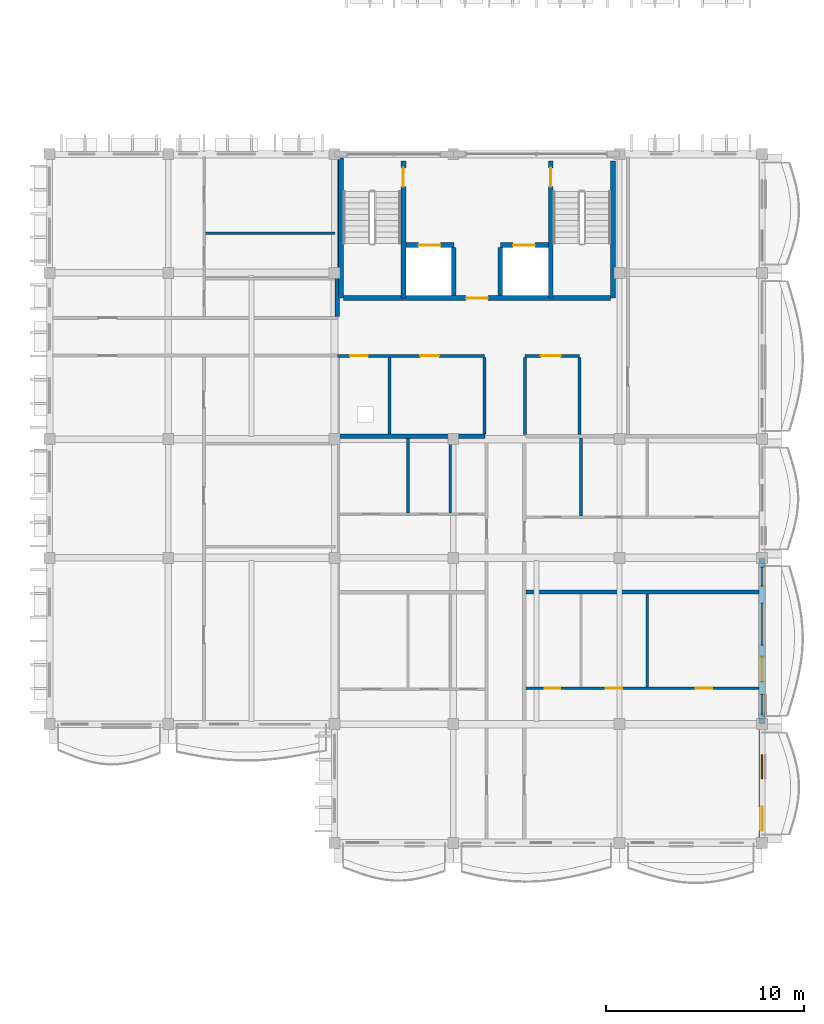
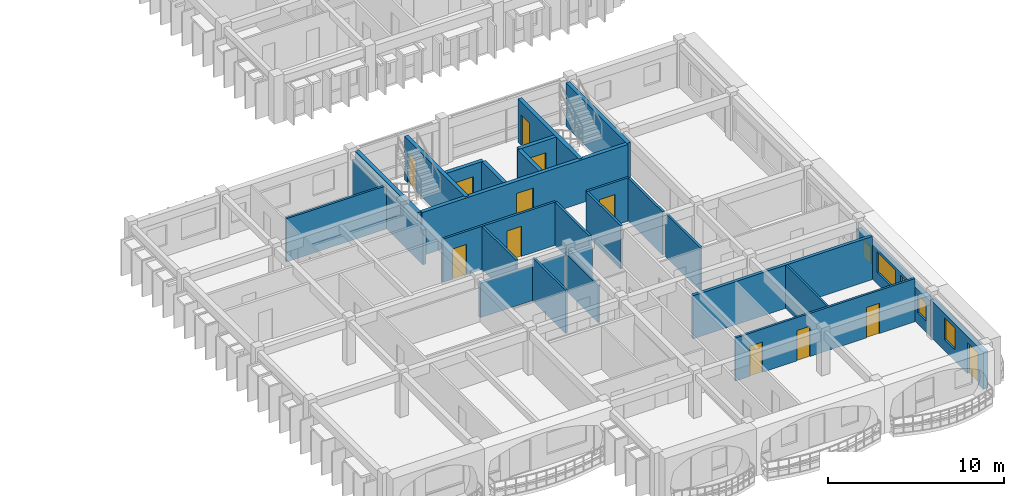
# One storey, part 33 of 70: 26 walls, 13 doors, 4 windows, 17 openings.
"""IFC4 building model written with IfcOpenShell, lengths in metres."""

import ifcopenshell
import ifcopenshell.guid

model = None  # the IFC model being written
_history = None  # IfcOwnerHistory: only IFC2X3 demands one
_inside = {}  # id of a spatial element -> (the spatial element, [elements in it])
_under = {}  # id of a project, library or spatial element -> (it, [spatial elements below it])
_declared = {}  # id of a project -> (the project, [libraries it declares])
_typed = {}  # id of a type object -> (the type object, [elements of that type])
_made_of = {}  # id of a material, layer set ... -> (it, [elements and type objects made of it])


def new_model(schema):
    """Start an empty IFC model of exactly this schema.

    Asked for "IFC4X3", IfcOpenShell would pick the latest addendum, in which some entities
    have other attributes; the version numbers below select the first issue.
    IFC2X3 requires an IfcOwnerHistory on every rooted entity: one is made here for all.
    """
    global model, _history
    if schema == "IFC4X3":
        model = ifcopenshell.file(schema_version=(4, 3, 0, 0))
    else:
        model = ifcopenshell.file(schema=schema)
    _inside.clear()
    _under.clear()
    _declared.clear()
    _typed.clear()
    _made_of.clear()
    _history = None
    if model.schema == "IFC2X3":
        org = make("IfcOrganization", Name="unknown")
        user = make(
            "IfcPersonAndOrganization",
            ThePerson=make("IfcPerson", FamilyName="unknown"),
            TheOrganization=org,
        )
        app = make(
            "IfcApplication",
            ApplicationDeveloper=org,
            Version="unknown",
            ApplicationFullName="unknown",
            ApplicationIdentifier="unknown",
        )
        _history = make(
            "IfcOwnerHistory",
            OwningUser=user,
            OwningApplication=app,
            ChangeAction="ADDED",
            CreationDate=0,
        )
    return model


def make(cls, **values):
    """One entity of the class cls with the attributes given. An attribute that is None is left unset."""
    return model.create_entity(
        cls, **{name: value for name, value in values.items() if value is not None}
    )


def rooted(cls, **values):
    """An entity with a GlobalId (a new one), such as an element, a storey or a relation."""
    return make(cls, GlobalId=ifcopenshell.guid.new(), OwnerHistory=_history, **values)


def si_unit(unit_type, name, prefix=None):
    """IfcSIUnit, for example si_unit("LENGTHUNIT", "METRE", prefix="MILLI")."""
    return make("IfcSIUnit", UnitType=unit_type, Prefix=prefix, Name=name)


def assignment(units):
    """IfcUnitAssignment: the units of a project."""
    return None if units is None else make("IfcUnitAssignment", Units=units)


def point(xyz):
    """IfcCartesianPoint."""
    return None if xyz is None else make("IfcCartesianPoint", Coordinates=xyz)


def direction(xyz):
    """IfcDirection."""
    return None if xyz is None else make("IfcDirection", DirectionRatios=xyz)


def frame(location, z_axis=None, x_axis=None):
    """IfcAxis2Placement3D, a coordinate frame: its origin and axes. An axis left out is left unset."""
    return make(
        "IfcAxis2Placement3D",
        Location=point(location),
        Axis=direction(z_axis),
        RefDirection=direction(x_axis),
    )


def frame_2d(location, x_axis=None):
    """IfcAxis2Placement2D, a coordinate frame in the plane: its origin and x axis."""
    return make(
        "IfcAxis2Placement2D", Location=point(location), RefDirection=direction(x_axis)
    )


def origin():
    """The frame at (0, 0, 0) with its axes left unset."""
    return frame((0.0, 0.0, 0.0))


def place(relative_to, where):
    """IfcLocalPlacement: puts the frame where relative to a parent placement (None: the world)."""
    return make(
        "IfcLocalPlacement", PlacementRelTo=relative_to, RelativePlacement=where
    )


def context(
    kind, dimensions, precision=None, world=None, true_north=None, identifier=None
):
    """IfcGeometricRepresentationContext, for example the 3D "Model" context."""
    return make(
        "IfcGeometricRepresentationContext",
        ContextIdentifier=identifier,
        ContextType=kind,
        CoordinateSpaceDimension=dimensions,
        Precision=precision,
        WorldCoordinateSystem=world,
        TrueNorth=true_north,
    )


def subcontext(parent, identifier, kind, view, scale=None):
    """IfcGeometricRepresentationSubContext, for example "Body" below "Model"."""
    return make(
        "IfcGeometricRepresentationSubContext",
        ContextIdentifier=identifier,
        ContextType=kind,
        ParentContext=parent,
        TargetScale=scale,
        TargetView=view,
    )


def project(units=None, contexts=None):
    """IfcProject with its units and contexts."""
    return rooted(
        "IfcProject",
        Name="project",
        RepresentationContexts=contexts,
        UnitsInContext=assignment(units),
    )


def spatial(cls, under=None, at=None, **own):
    """A site, building, storey or space (cls), placed at a placement, below another one or the project."""
    s = rooted(cls, ObjectPlacement=at, **own)
    if under is not None:
        _under.setdefault(under.id(), (under, []))[1].append(s)
    return s


def profile(cls, at=None, kind="AREA", **sizes):
    """A parametric profile (cls). Its sizes go by their IFC names, for example OverallWidth=200.0."""
    return make(cls, ProfileType=kind, Position=at, **sizes)


def rectangle(**sizes):
    """IfcRectangleProfileDef."""
    return profile("IfcRectangleProfileDef", **sizes)


def extrude(swept, where, along, depth):
    """IfcExtrudedAreaSolid: the profile swept, set in the frame where, extruded along a direction by depth."""
    return make(
        "IfcExtrudedAreaSolid",
        SweptArea=swept,
        Position=where,
        ExtrudedDirection=direction(along),
        Depth=depth,
    )


def shape(context_of_items, identifier, shape_type, items):
    """IfcShapeRepresentation: the items that make up one representation, for example the "Body"."""
    return make(
        "IfcShapeRepresentation",
        ContextOfItems=context_of_items,
        RepresentationIdentifier=identifier,
        RepresentationType=shape_type,
        Items=items,
    )


def material(Name=None, Category=None):
    """IfcMaterial."""
    return make("IfcMaterial", Name=Name, Category=Category)


def layer(
    of_material, thickness, ventilated=None, Name=None, Category=None, Priority=None
):
    """IfcMaterialLayer: one layer of a wall or slab, of a material (None: an air gap)."""
    return make(
        "IfcMaterialLayer",
        Material=of_material,
        LayerThickness=thickness,
        IsVentilated=ventilated,
        Name=Name,
        Category=Category,
        Priority=Priority,
    )


def layer_set(layers, Name=None):
    """IfcMaterialLayerSet."""
    return make("IfcMaterialLayerSet", MaterialLayers=layers, LayerSetName=Name)


def made_of(thing, what):
    """Note that an element or type object is made of a material, layer set ...; save() writes the relation."""
    if what is not None:
        _made_of.setdefault(what.id(), (what, []))[1].append(thing)
    return thing


def type_object(cls, material=None, **own):
    """A type object (cls), such as IfcWallType, which elements share."""
    return made_of(rooted(cls, **own), material)


def element(
    cls,
    number,
    at=None,
    inside=None,
    cuts=None,
    type_object=None,
    material=None,
    context=None,
    identifier="Body",
    shape_type=None,
    held_by="IfcProductDefinitionShape",
    body=None,
    shapes=None,
    **own,
):
    """One element of the class cls, such as IfcWall. Its Tag is "e" and its number.

    at: its placement. inside: the storey or other place that contains it. cuts: it is an
    opening in that element (IfcRelVoidsElement). A single representation is given by context,
    identifier, shape_type and body (its items); several are given by shapes. held_by: the class
    of the entity that holds the representations. save() writes the other relations.
    """
    e = rooted(cls, Tag="e%d" % number, ObjectPlacement=at, **own)
    if body is not None:
        shapes = [shape(context, identifier, shape_type, body)]
    if shapes is not None:
        e.Representation = make(held_by, Representations=shapes)
    if inside is not None:
        _inside.setdefault(inside.id(), (inside, []))[1].append(e)
    if cuts is not None:
        rooted(
            "IfcRelVoidsElement", RelatingBuildingElement=cuts, RelatedOpeningElement=e
        )
    if type_object is not None:
        _typed.setdefault(type_object.id(), (type_object, []))[1].append(e)
    return made_of(e, material)


def fill(opening, filler):
    """IfcRelFillsElement: the door or window that sits in an opening."""
    return rooted(
        "IfcRelFillsElement",
        RelatingOpeningElement=opening,
        RelatedBuildingElement=filler,
    )


def aggregate(whole, parts):
    """IfcRelAggregates: a whole, such as a stair, and the parts it consists of."""
    return rooted("IfcRelAggregates", RelatingObject=whole, RelatedObjects=parts)


def save(model, path):
    """Write the relations noted so far, then the file.

    IfcRelAggregates (storeys below a building ...), IfcRelContainedInSpatialStructure (elements
    in a storey), IfcRelDefinesByType, IfcRelAssociatesMaterial and IfcRelDeclares: one each for
    every whole, place, type object, material and project.
    """
    for whole, parts in _under.values():
        aggregate(whole, parts)
    for where, things in _inside.values():
        rooted(
            "IfcRelContainedInSpatialStructure",
            RelatedElements=things,
            RelatingStructure=where,
        )
    for kind, things in _typed.values():
        rooted("IfcRelDefinesByType", RelatedObjects=things, RelatingType=kind)
    for what, things in _made_of.values():
        rooted("IfcRelAssociatesMaterial", RelatedObjects=things, RelatingMaterial=what)
    for by, libraries in _declared.values():
        rooted("IfcRelDeclares", RelatingContext=by, RelatedDefinitions=libraries)
    model.write(path)


model = new_model("IFC4")

# Units and contexts
model_context = context("Model", 3, precision=1e-05, world=origin(), true_north=direction((0.0, 1.0)))
body_context = subcontext(model_context, "Body", "Model", "MODEL_VIEW")
ifc_project = project(units=[si_unit("LENGTHUNIT", "METRE"), si_unit("AREAUNIT", "SQUARE_METRE"), si_unit("VOLUMEUNIT", "CUBIC_METRE"), si_unit("PLANEANGLEUNIT", "RADIAN"), si_unit("MASSUNIT", "GRAM", prefix="KILO"), si_unit("THERMODYNAMICTEMPERATUREUNIT", "KELVIN")], contexts=[model_context])

# Site, building, storey
site_placement = place(None, origin())
site = spatial("IfcSite", under=ifc_project, at=site_placement, CompositionType="ELEMENT")
building_placement = place(site_placement, origin())
building = spatial("IfcBuilding", under=site, at=building_placement, Name="Thalorik Housing Commons", CompositionType="ELEMENT")
storey_placement = place(building_placement, frame((0.0, 0.0, 14.699951171875)))
storey = spatial("IfcBuildingStorey", under=building, at=storey_placement, Name="L04", CompositionType="ELEMENT", Elevation=14.699951171875)

# Wall, opening, door
ifc_material_1 = material(Name="Concrete C40/50", Category="concrete")
ifc_layer_1 = layer(ifc_material_1, 0.25, Name="Concrete C40/50", Category="concrete")
ifc_layer_set_1 = layer_set([ifc_layer_1], Name="Concrete C40/50")
wall_type_1 = type_object("IfcWallType", Name="ARC-WAL-CORE-250", PredefinedType="SHEAR", material=ifc_layer_set_1)
wall_1_placement = place(storey_placement, frame((155.875, 71.64990234375, 0.0), z_axis=(0.0, 0.0, 1.0), x_axis=(0.0, -1.0, 0.0)))
wall_1 = element("IfcWall", 1, at=wall_1_placement, inside=storey, type_object=wall_type_1, Name="L04 Core D Stair 1 Shear Wall", PredefinedType="SHEAR", context=body_context, shape_type="SweptSolid", body=[
    extrude(rectangle(XDim=6.9248046875, YDim=0.25, at=frame_2d((3.46240234375, 0.0))), origin(), (0.0, 0.0, 1.0), 3.0),
])
opening_1_placement = place(wall_1_placement, frame((0.35009765625, 0.0, 0.0)))
opening_1 = element("IfcOpeningElement", 2, at=opening_1_placement, cuts=wall_1, Name="Opening ID-0385", PredefinedType="OPENING", context=body_context, shape_type="SweptSolid", body=[
    extrude(rectangle(XDim=0.949951171875, YDim=2.10009765625, at=frame_2d((0.47509765625, 1.050048828125))), frame((0.0, 0.135009765625, 0.0), z_axis=(0.0, -1.0, 0.0), x_axis=(1.0, 0.0, 0.0)), (0.0, 0.0, 1.0), 0.27001953125),
])
ifc_material_2 = material(Name="Steel S355", Category="steel")
door_type_1 = type_object("IfcDoorType", Name="ARC-DR-FD60-950", OperationType="NOTDEFINED", PredefinedType="DOOR", material=ifc_material_2)
door_1_placement = place(opening_1_placement, origin())
door_1 = element("IfcDoor", 3, at=door_1_placement, inside=storey, type_object=door_type_1, Name="L04 Stair ST-D1 Fire Door", OperationType="SINGLE_SWING_RIGHT", OverallHeight=2.10009765625, OverallWidth=0.949951171875, PredefinedType="DOOR", context=body_context, shape_type="SweptSolid", body=[
    extrude(rectangle(XDim=0.949951171875, YDim=2.10009765625, at=frame_2d((0.47509765625, 1.050048828125))), frame((0.0, 0.02490234375, 0.0), z_axis=(0.0, -1.0, 0.0), x_axis=(1.0, 0.0, 0.0)), (0.0, 0.0, 1.0), 0.050048828125),
])
fill(opening_1, door_1)

# Walls
wall_2_placement = place(storey_placement, frame((152.72509765625, 71.800048828125, 0.0), z_axis=(0.0, 0.0, 1.0), x_axis=(0.0, -1.0, 0.0)))
element("IfcWall", 4, at=wall_2_placement, inside=storey, type_object=wall_type_1, Name="L04 Core D Stair 1 Outer Shear Wall", PredefinedType="SHEAR", context=body_context, shape_type="SweptSolid", body=[
    extrude(rectangle(XDim=7.074951171875, YDim=0.25, at=frame_2d((3.53759765625, 0.0))), origin(), (0.0, 0.0, 1.0), 3.0),
])
wall_3_placement = place(storey_placement, frame((166.47509765625, 71.64990234375, 0.0), z_axis=(0.0, 0.0, 1.0), x_axis=(0.0, -1.0, 0.0)))
element("IfcWall", 5, at=wall_3_placement, inside=storey, type_object=wall_type_1, Name="L04 Core D Stair 2 Outer Shear Wall", PredefinedType="SHEAR", context=body_context, shape_type="SweptSolid", body=[
    extrude(rectangle(XDim=6.9248046875, YDim=0.25, at=frame_2d((3.46240234375, 0.0))), origin(), (0.0, 0.0, 1.0), 3.0),
])

# Wall, opening, door
wall_4_placement = place(storey_placement, frame((163.324951171875, 71.64990234375, 0.0), z_axis=(0.0, 0.0, 1.0), x_axis=(0.0, -1.0, 0.0)))
wall_4 = element("IfcWall", 6, at=wall_4_placement, inside=storey, type_object=wall_type_1, Name="L04 Core D Stair 2 Shear Wall", PredefinedType="SHEAR", context=body_context, shape_type="SweptSolid", body=[
    extrude(rectangle(XDim=6.9248046875, YDim=0.25, at=frame_2d((3.46240234375, 0.0))), origin(), (0.0, 0.0, 1.0), 3.0),
])
opening_2_placement = place(wall_4_placement, frame((0.35009765625, 0.0, 0.0)))
opening_2 = element("IfcOpeningElement", 7, at=opening_2_placement, cuts=wall_4, Name="Opening ID-0386", PredefinedType="OPENING", context=body_context, shape_type="SweptSolid", body=[
    extrude(rectangle(XDim=0.949951171875, YDim=2.10009765625, at=frame_2d((0.47509765625, 1.050048828125))), frame((0.0, 0.135009765625, 0.0), z_axis=(0.0, -1.0, 0.0), x_axis=(1.0, 0.0, 0.0)), (0.0, 0.0, 1.0), 0.27001953125),
])
door_2_placement = place(opening_2_placement, origin())
door_2 = element("IfcDoor", 8, at=door_2_placement, inside=storey, type_object=door_type_1, Name="L04 Stair ST-D2 Fire Door", OperationType="SINGLE_SWING_LEFT", OverallHeight=2.10009765625, OverallWidth=0.949951171875, PredefinedType="DOOR", context=body_context, shape_type="SweptSolid", body=[
    extrude(rectangle(XDim=0.949951171875, YDim=2.10009765625, at=frame_2d((0.47509765625, 1.050048828125))), frame((0.0, 0.02490234375, 0.0), z_axis=(0.0, -1.0, 0.0), x_axis=(1.0, 0.0, 0.0)), (0.0, 0.0, 1.0), 0.050048828125),
])
fill(opening_2, door_2)

wall_5_placement = place(storey_placement, frame((156.0, 67.39990234375, 0.0), z_axis=(0.0, 0.0, 1.0), x_axis=(1.0, 0.0, 0.0)))
wall_5 = element("IfcWall", 9, at=wall_5_placement, inside=storey, type_object=wall_type_1, Name="L04 Lift LP-D1 Front Shaft Wall", PredefinedType="SHEAR", context=body_context, shape_type="SweptSolid", body=[
    extrude(rectangle(XDim=2.425048828125, YDim=0.25, at=frame_2d((1.21240234375, 0.0))), origin(), (0.0, 0.0, 1.0), 3.0),
])
opening_3_placement = place(wall_5_placement, frame((0.64990234375, 0.0, 0.0)))
opening_3 = element("IfcOpeningElement", 10, at=opening_3_placement, cuts=wall_5, Name="Opening LD-LP-D1-L04", PredefinedType="OPENING", context=body_context, shape_type="SweptSolid", body=[
    extrude(rectangle(XDim=1.10009765625, YDim=2.14990234375, at=frame_2d((0.550048828125, 1.074951171875))), frame((0.0, 0.135009765625, 0.0), z_axis=(0.0, -1.0, 0.0), x_axis=(1.0, 0.0, 0.0)), (0.0, 0.0, 1.0), 0.27001953125),
])
door_type_2 = type_object("IfcDoorType", Name="ARC-DR-LIFT-1100", OperationType="NOTDEFINED", PredefinedType="DOOR", material=ifc_material_2)
door_3_placement = place(opening_3_placement, origin())
door_3 = element("IfcDoor", 11, at=door_3_placement, inside=storey, type_object=door_type_2, Name="L04 Lift LP-D1 Landing Door", OperationType="SLIDING_TO_LEFT", OverallHeight=2.14990234375, OverallWidth=1.10009765625, PredefinedType="DOOR", context=body_context, shape_type="SweptSolid", body=[
    extrude(rectangle(XDim=1.10009765625, YDim=2.14990234375, at=frame_2d((0.550048828125, 1.074951171875))), frame((0.0, 0.02490234375, 0.0), z_axis=(0.0, -1.0, 0.0), x_axis=(1.0, 0.0, 0.0)), (0.0, 0.0, 1.0), 0.050048828125),
])
fill(opening_3, door_3)

wall_6_placement = place(storey_placement, frame((160.77490234375, 67.39990234375, 0.0), z_axis=(0.0, 0.0, 1.0), x_axis=(1.0, 0.0, 0.0)))
wall_6 = element("IfcWall", 12, at=wall_6_placement, inside=storey, type_object=wall_type_1, Name="L04 Lift LP-D2 Front Shaft Wall", PredefinedType="SHEAR", context=body_context, shape_type="SweptSolid", body=[
    extrude(rectangle(XDim=2.425048828125, YDim=0.25, at=frame_2d((1.21240234375, 0.0))), origin(), (0.0, 0.0, 1.0), 3.0),
])
opening_4_placement = place(wall_6_placement, frame((0.64990234375, 0.0, 0.0)))
opening_4 = element("IfcOpeningElement", 13, at=opening_4_placement, cuts=wall_6, Name="Opening LD-LP-D2-L04", PredefinedType="OPENING", context=body_context, shape_type="SweptSolid", body=[
    extrude(rectangle(XDim=1.10009765625, YDim=2.14990234375, at=frame_2d((0.550048828125, 1.074951171875))), frame((0.0, 0.135009765625, 0.0), z_axis=(0.0, -1.0, 0.0), x_axis=(1.0, 0.0, 0.0)), (0.0, 0.0, 1.0), 0.27001953125),
])
door_4_placement = place(opening_4_placement, origin())
door_4 = element("IfcDoor", 14, at=door_4_placement, inside=storey, type_object=door_type_2, Name="L04 Lift LP-D2 Landing Door", OperationType="SLIDING_TO_LEFT", OverallHeight=2.14990234375, OverallWidth=1.10009765625, PredefinedType="DOOR", context=body_context, shape_type="SweptSolid", body=[
    extrude(rectangle(XDim=1.10009765625, YDim=2.14990234375, at=frame_2d((0.550048828125, 1.074951171875))), frame((0.0, 0.02490234375, 0.0), z_axis=(0.0, -1.0, 0.0), x_axis=(1.0, 0.0, 0.0)), (0.0, 0.0, 1.0), 0.050048828125),
])
fill(opening_4, door_4)

# Walls
for number, where, z_axis, x_axis, name in (
    (15, (158.425048828125, 67.27490234375, 0.0), (0.0, 0.0, 1.0), (0.0, -1.0, 0.0), "L04 Lift 1 Cheek Wall"),
    (16, (160.77490234375, 67.27490234375, 0.0), (0.0, 0.0, 1.0), (0.0, -1.0, 0.0), "L04 Lift 2 Cheek Wall"),
):
    element("IfcWall", number, at=place(storey_placement, frame(where, z_axis=z_axis, x_axis=x_axis)), inside=storey, type_object=wall_type_1, Name=name, PredefinedType="SHEAR", context=body_context, shape_type="SweptSolid", body=[
        extrude(rectangle(XDim=2.4248046875, YDim=0.25, at=frame_2d((1.21240234375, 0.0))), origin(), (0.0, 0.0, 1.0), 3.0),
    ])

# Wall, opening, door
wall_7_placement = place(storey_placement, frame((152.85009765625, 64.72509765625, 0.0), z_axis=(0.0, 0.0, 1.0), x_axis=(1.0, 0.0, 0.0)))
wall_7 = element("IfcWall", 17, at=wall_7_placement, inside=storey, type_object=wall_type_1, Name="L04 Core D Spine Shear Wall", PredefinedType="SHEAR", context=body_context, shape_type="SweptSolid", body=[
    extrude(rectangle(XDim=13.5, YDim=0.25, at=frame_2d((6.75, 0.0))), origin(), (0.0, 0.0, 1.0), 3.0),
])
opening_5_placement = place(wall_7_placement, frame((6.199951171875, 0.0, 0.0)))
opening_5 = element("IfcOpeningElement", 18, at=opening_5_placement, cuts=wall_7, Name="Opening ID-0389", PredefinedType="OPENING", context=body_context, shape_type="SweptSolid", body=[
    extrude(rectangle(XDim=1.10009765625, YDim=2.14990234375, at=frame_2d((0.550048828125, 1.074951171875))), frame((0.0, 0.135009765625, 0.0), z_axis=(0.0, -1.0, 0.0), x_axis=(1.0, 0.0, 0.0)), (0.0, 0.0, 1.0), 0.27001953125),
])
door_type_3 = type_object("IfcDoorType", Name="ARC-DR-FD60-1100", OperationType="NOTDEFINED", PredefinedType="DOOR", material=ifc_material_2)
door_5_placement = place(opening_5_placement, origin())
door_5 = element("IfcDoor", 19, at=door_5_placement, inside=storey, type_object=door_type_3, Name="L04 Core D Lobby Fire Door", OperationType="SINGLE_SWING_RIGHT", OverallHeight=2.14990234375, OverallWidth=1.10009765625, PredefinedType="DOOR", context=body_context, shape_type="SweptSolid", body=[
    extrude(rectangle(XDim=1.10009765625, YDim=2.14990234375, at=frame_2d((0.550048828125, 1.074951171875))), frame((0.0, 0.02490234375, 0.0), z_axis=(0.0, -1.0, 0.0), x_axis=(1.0, 0.0, 0.0)), (0.0, 0.0, 1.0), 0.050048828125),
])
fill(opening_5, door_5)

# Wall, openings, door, window
ifc_material_3 = material(Name="White precast concrete C40/50", Category="concrete")
ifc_layer_2 = layer(ifc_material_3, 0.304931640625, Name="White precast concrete C40/50", Category="concrete")
ifc_layer_set_2 = layer_set([ifc_layer_2], Name="White precast concrete C40/50")
wall_type_2 = type_object("IfcWallType", Name="ARC-WAL-EXT-305", PredefinedType="STANDARD", material=ifc_layer_set_2)
wall_8_placement = place(storey_placement, frame((174.0, 37.199951171875, 0.0), z_axis=(0.0, 0.0, 1.0), x_axis=(0.0, 1.0, 0.0)))
wall_8 = element("IfcWall", 20, at=wall_8_placement, inside=storey, type_object=wall_type_2, Name="L04 Exterior Wall WAL-EXT-L04-D-1197", PredefinedType="STANDARD", context=body_context, shape_type="SweptSolid", body=[
    extrude(rectangle(XDim=6.0, YDim=0.304931640625, at=frame_2d((3.0, 0.0))), origin(), (0.0, 0.0, 1.0), 2.574951171875),
])
opening_6_placement = place(wall_8_placement, frame((0.6201171875, 0.0, 0.0)))
opening_6 = element("IfcOpeningElement", 21, at=opening_6_placement, cuts=wall_8, Name="Opening ED-0401", PredefinedType="OPENING", context=body_context, shape_type="SweptSolid", body=[
    extrude(rectangle(XDim=1.199951171875, YDim=2.14990234375, at=frame_2d((0.60009765625, 1.074951171875))), frame((0.0, 0.16259765625, 0.0), z_axis=(0.0, -1.0, 0.0), x_axis=(1.0, 0.0, 0.0)), (0.0, 0.0, 1.0), 0.324951171875),
])
opening_7_placement = place(wall_8_placement, frame((3.239990234375, 0.0, 0.780029296875)))
opening_7 = element("IfcOpeningElement", 22, at=opening_7_placement, cuts=wall_8, Name="Opening W-05", PredefinedType="OPENING", context=body_context, shape_type="SweptSolid", body=[
    extrude(rectangle(XDim=1.199951171875, YDim=1.5, at=frame_2d((0.60009765625, 0.75))), frame((0.0, 0.16259765625, 0.0), z_axis=(0.0, -1.0, 0.0), x_axis=(1.0, 0.0, 0.0)), (0.0, 0.0, 1.0), 0.324951171875),
])
ifc_material_4 = material(Name="Anodised aluminium and laminated safety glass", Category="aluminium")
door_type_4 = type_object("IfcDoorType", Name="ARC-DR-BAL-1200", OperationType="NOTDEFINED", PredefinedType="DOOR", material=ifc_material_4)
door_6_placement = place(opening_6_placement, frame((1.199951171875, 0.0, 0.0), z_axis=(0.0, 0.0, 1.0), x_axis=(-1.0, 0.0, 0.0)))
door_6 = element("IfcDoor", 23, at=door_6_placement, inside=storey, type_object=door_type_4, Name="L04 Block D Balcony Glazed Door", OperationType="SINGLE_SWING_RIGHT", OverallHeight=2.14990234375, OverallWidth=1.199951171875, PredefinedType="DOOR", context=body_context, shape_type="SweptSolid", body=[
    extrude(rectangle(XDim=1.199951171875, YDim=2.14990234375, at=frame_2d((0.60009765625, 1.074951171875))), frame((0.0, 0.02490234375, 0.0), z_axis=(0.0, -1.0, 0.0), x_axis=(1.0, 0.0, 0.0)), (0.0, 0.0, 1.0), 0.050048828125),
])
fill(opening_6, door_6)
ifc_material_5 = material(Name="Anodised aluminium and solar-control low-E glass", Category="aluminium")
window_type_1 = type_object("IfcWindowType", Name="ARC-WIN-05", PartitioningType="SINGLE_PANEL", PredefinedType="WINDOW", material=ifc_material_5)
window_1_placement = place(opening_7_placement, origin())
window_1 = element("IfcWindow", 24, at=window_1_placement, inside=storey, type_object=window_type_1, Name="L04 Facade Window 2190", OverallHeight=1.5, OverallWidth=1.199951171875, PartitioningType="SINGLE_PANEL", PredefinedType="WINDOW", context=body_context, shape_type="SweptSolid", body=[
    extrude(rectangle(XDim=1.199951171875, YDim=1.5, at=frame_2d((0.60009765625, 0.75))), frame((0.0, 0.030029296875, 0.0), z_axis=(0.0, -1.0, 0.0), x_axis=(1.0, 0.0, 0.0)), (0.0, 0.0, 1.0), 0.06005859375),
])
fill(opening_7, window_1)

# Wall, openings, door, windows
wall_9_placement = place(storey_placement, frame((174.0, 43.199951171875, 0.0), z_axis=(0.0, 0.0, 1.0), x_axis=(0.0, 1.0, 0.0)))
wall_9 = element("IfcWall", 25, at=wall_9_placement, inside=storey, type_object=wall_type_2, Name="L04 Exterior Wall WAL-EXT-L04-D-1198", PredefinedType="STANDARD", context=body_context, shape_type="SweptSolid", body=[
    extrude(rectangle(XDim=8.400146484375, YDim=0.304931640625, at=frame_2d((4.2001953125, 0.0))), origin(), (0.0, 0.0, 1.0), 2.425048828125),
])
opening_8_placement = place(wall_9_placement, frame((2.142822265625, 0.0, 0.0)))
opening_8 = element("IfcOpeningElement", 26, at=opening_8_placement, cuts=wall_9, Name="Opening ED-0402", PredefinedType="OPENING", context=body_context, shape_type="SweptSolid", body=[
    extrude(rectangle(XDim=1.25, YDim=2.199951171875, at=frame_2d((0.625, 1.10009765625))), frame((0.0, 0.16259765625, 0.0), z_axis=(0.0, -1.0, 0.0), x_axis=(1.0, 0.0, 0.0)), (0.0, 0.0, 1.0), 0.324951171875),
])
opening_9_placement = place(wall_9_placement, frame((0.50146484375, 0.0, 0.780029296875)))
opening_9 = element("IfcOpeningElement", 27, at=opening_9_placement, cuts=wall_9, Name="Opening W-02", PredefinedType="OPENING", context=body_context, shape_type="SweptSolid", body=[
    extrude(rectangle(XDim=1.0, YDim=1.25, at=frame_2d((0.5, 0.625))), frame((0.0, 0.16259765625, 0.0), z_axis=(0.0, -1.0, 0.0), x_axis=(1.0, 0.0, 0.0)), (0.0, 0.0, 1.0), 0.324951171875),
])
opening_10_placement = place(wall_9_placement, frame((3.996337890625, 0.0, 0.780029296875)))
opening_10 = element("IfcOpeningElement", 28, at=opening_10_placement, cuts=wall_9, Name="Opening W-64", PredefinedType="OPENING", context=body_context, shape_type="SweptSolid", body=[
    extrude(rectangle(XDim=2.1201171875, YDim=1.43994140625, at=frame_2d((1.06005859375, 0.719970703125))), frame((0.0, 0.16259765625, 0.0), z_axis=(0.0, -1.0, 0.0), x_axis=(1.0, 0.0, 0.0)), (0.0, 0.0, 1.0), 0.324951171875),
])
opening_11_placement = place(wall_9_placement, frame((6.965087890625, 0.0, 0.780029296875)))
opening_11 = element("IfcOpeningElement", 29, at=opening_11_placement, cuts=wall_9, Name="Opening W-43", PredefinedType="OPENING", context=body_context, shape_type="SweptSolid", body=[
    extrude(rectangle(XDim=0.949951171875, YDim=1.14990234375, at=frame_2d((0.47509765625, 0.574951171875))), frame((0.0, 0.16259765625, 0.0), z_axis=(0.0, -1.0, 0.0), x_axis=(1.0, 0.0, 0.0)), (0.0, 0.0, 1.0), 0.324951171875),
])
door_type_5 = type_object("IfcDoorType", Name="ARC-DR-BAL-1250", OperationType="NOTDEFINED", PredefinedType="DOOR", material=ifc_material_4)
door_7_placement = place(opening_8_placement, frame((1.25, 0.0, 0.0), z_axis=(0.0, 0.0, 1.0), x_axis=(-1.0, 0.0, 0.0)))
door_7 = element("IfcDoor", 30, at=door_7_placement, inside=storey, type_object=door_type_5, Name="L04 Block D Balcony Glazed Door", OperationType="SINGLE_SWING_LEFT", OverallHeight=2.199951171875, OverallWidth=1.25, PredefinedType="DOOR", context=body_context, shape_type="SweptSolid", body=[
    extrude(rectangle(XDim=1.25, YDim=2.199951171875, at=frame_2d((0.625, 1.10009765625))), frame((0.0, 0.02490234375, 0.0), z_axis=(0.0, -1.0, 0.0), x_axis=(1.0, 0.0, 0.0)), (0.0, 0.0, 1.0), 0.050048828125),
])
fill(opening_8, door_7)
window_type_2 = type_object("IfcWindowType", Name="ARC-WIN-02", PartitioningType="SINGLE_PANEL", PredefinedType="WINDOW", material=ifc_material_5)
window_2_placement = place(opening_9_placement, origin())
window_2 = element("IfcWindow", 31, at=window_2_placement, inside=storey, type_object=window_type_2, Name="L04 Facade Window 2191", OverallHeight=1.25, OverallWidth=1.0, PartitioningType="SINGLE_PANEL", PredefinedType="WINDOW", context=body_context, shape_type="SweptSolid", body=[
    extrude(rectangle(XDim=1.0, YDim=1.25, at=frame_2d((0.5, 0.625))), frame((0.0, 0.030029296875, 0.0), z_axis=(0.0, -1.0, 0.0), x_axis=(1.0, 0.0, 0.0)), (0.0, 0.0, 1.0), 0.06005859375),
])
fill(opening_9, window_2)
window_type_3 = type_object("IfcWindowType", Name="ARC-WIN-43", PartitioningType="SINGLE_PANEL", PredefinedType="WINDOW", material=ifc_material_5)
window_3_placement = place(opening_11_placement, origin())
window_3 = element("IfcWindow", 32, at=window_3_placement, inside=storey, type_object=window_type_3, Name="L04 Facade Window 2193", OverallHeight=1.14990234375, OverallWidth=0.949951171875, PartitioningType="SINGLE_PANEL", PredefinedType="WINDOW", context=body_context, shape_type="SweptSolid", body=[
    extrude(rectangle(XDim=0.949951171875, YDim=1.14990234375, at=frame_2d((0.47509765625, 0.574951171875))), frame((0.0, 0.030029296875, 0.0), z_axis=(0.0, -1.0, 0.0), x_axis=(1.0, 0.0, 0.0)), (0.0, 0.0, 1.0), 0.06005859375),
])
fill(opening_11, window_3)
window_type_4 = type_object("IfcWindowType", Name="ARC-WIN-64", PartitioningType="DOUBLE_PANEL_VERTICAL", PredefinedType="WINDOW", material=ifc_material_5)
window_4_placement = place(opening_10_placement, origin())
window_4 = element("IfcWindow", 33, at=window_4_placement, inside=storey, type_object=window_type_4, Name="L04 Facade Window 2192", OverallHeight=1.43994140625, OverallWidth=2.1201171875, PartitioningType="DOUBLE_PANEL_VERTICAL", PredefinedType="WINDOW", context=body_context, shape_type="SweptSolid", body=[
    extrude(rectangle(XDim=2.1201171875, YDim=1.43994140625, at=frame_2d((1.06005859375, 0.719970703125))), frame((0.0, 0.030029296875, 0.0), z_axis=(0.0, -1.0, 0.0), x_axis=(1.0, 0.0, 0.0)), (0.0, 0.0, 1.0), 0.06005859375),
])
fill(opening_10, window_4)

# Walls
ifc_material_6 = material(Name="Gypsum acoustic stud partition", Category="masonry")
ifc_layer_3 = layer(ifc_material_6, 0.125, Name="Gypsum acoustic stud partition", Category="masonry")
ifc_layer_set_3 = layer_set([ifc_layer_3], Name="Gypsum acoustic stud partition")
wall_type_3 = type_object("IfcWallType", Name="ARC-WAL-PART-125", PredefinedType="PARTITIONING", material=ifc_layer_set_3)
wall_10_placement = place(storey_placement, frame((168.19921875, 45.084716796875, 0.0), z_axis=(0.0, 0.0, 1.0), x_axis=(0.0, 1.0, 0.0)))
element("IfcWall", 34, at=wall_10_placement, inside=storey, type_object=wall_type_3, Name="L04 Unit 1B Bedroom Partition", PredefinedType="PARTITIONING", context=body_context, shape_type="SweptSolid", body=[
    extrude(rectangle(XDim=4.683349609375, YDim=0.125, at=frame_2d((2.341796875, 0.0))), origin(), (0.0, 0.0, 1.0), 3.0),
])
wall_11_placement = place(storey_placement, frame((158.251220703125, 53.85693359375, 0.0), z_axis=(0.0, 0.0, 1.0), x_axis=(0.0, 1.0, 0.0)))
element("IfcWall", 35, at=wall_11_placement, inside=storey, type_object=wall_type_3, Name="L04 Unit 2 Wet Wall", PredefinedType="PARTITIONING", context=body_context, shape_type="SweptSolid", body=[
    extrude(rectangle(XDim=3.77099609375, YDim=0.125, at=frame_2d((1.885498046875, 0.0))), origin(), (0.0, 0.0, 1.0), 2.574951171875),
])

# Wall, openings, doors
ifc_material_7 = material(Name="Ceramic masonry partition wall", Category="masonry")
ifc_layer_4 = layer(ifc_material_7, 0.139892578125, Name="Ceramic masonry partition wall", Category="masonry")
ifc_layer_set_4 = layer_set([ifc_layer_4], Name="Ceramic masonry partition wall")
wall_type_4 = type_object("IfcWallType", Name="ARC-WAL-PART-140", PredefinedType="PARTITIONING", material=ifc_layer_set_4)
wall_12_placement = place(storey_placement, frame((162.064453125, 45.0126953125, 0.0), z_axis=(0.0, 0.0, 1.0), x_axis=(1.0, 0.0, 0.0)))
wall_12 = element("IfcWall", 36, at=wall_12_placement, inside=storey, type_object=wall_type_4, Name="L04 Unit 1B Spine Partition", PredefinedType="PARTITIONING", context=body_context, shape_type="SweptSolid", body=[
    extrude(rectangle(XDim=11.781005859375, YDim=0.139892578125, at=frame_2d((5.890625, 0.0))), origin(), (0.0, 0.0, 1.0), 3.0),
])
opening_12_placement = place(wall_12_placement, frame((0.95068359375, 0.0, 0.0)))
opening_12 = element("IfcOpeningElement", 37, at=opening_12_placement, cuts=wall_12, Name="Opening ID-2053", PredefinedType="OPENING", context=body_context, shape_type="SweptSolid", body=[
    extrude(rectangle(XDim=0.800048828125, YDim=2.10009765625, at=frame_2d((0.39990234375, 1.050048828125))), frame((0.0, 0.080078125, 0.0), z_axis=(0.0, -1.0, 0.0), x_axis=(1.0, 0.0, 0.0)), (0.0, 0.0, 1.0), 0.159912109375),
])
opening_13_placement = place(wall_12_placement, frame((4.035400390625, 0.0, 0.0)))
opening_13 = element("IfcOpeningElement", 38, at=opening_13_placement, cuts=wall_12, Name="Opening ID-2054", PredefinedType="OPENING", context=body_context, shape_type="SweptSolid", body=[
    extrude(rectangle(XDim=0.85009765625, YDim=2.10009765625, at=frame_2d((0.425048828125, 1.050048828125))), frame((0.0, 0.080078125, 0.0), z_axis=(0.0, -1.0, 0.0), x_axis=(1.0, 0.0, 0.0)), (0.0, 0.0, 1.0), 0.159912109375),
])
opening_14_placement = place(wall_12_placement, frame((8.580078125, 0.0, 0.0)))
opening_14 = element("IfcOpeningElement", 39, at=opening_14_placement, cuts=wall_12, Name="Opening ID-2055", PredefinedType="OPENING", context=body_context, shape_type="SweptSolid", body=[
    extrude(rectangle(XDim=0.85009765625, YDim=2.10009765625, at=frame_2d((0.425048828125, 1.050048828125))), frame((0.0, 0.080078125, 0.0), z_axis=(0.0, -1.0, 0.0), x_axis=(1.0, 0.0, 0.0)), (0.0, 0.0, 1.0), 0.159912109375),
])
ifc_material_8 = material(Name="Moisture-resistant timber", Category="wood")
door_type_6 = type_object("IfcDoorType", Name="ARC-DR-INT-800", OperationType="NOTDEFINED", PredefinedType="DOOR", material=ifc_material_8)
door_8_placement = place(opening_12_placement, origin())
door_8 = element("IfcDoor", 40, at=door_8_placement, inside=storey, type_object=door_type_6, Name="L04 Accessible Bathroom Door", OperationType="SINGLE_SWING_RIGHT", OverallHeight=2.10009765625, OverallWidth=0.800048828125, PredefinedType="DOOR", context=body_context, shape_type="SweptSolid", body=[
    extrude(rectangle(XDim=0.800048828125, YDim=2.10009765625, at=frame_2d((0.39990234375, 1.050048828125))), frame((0.0, 0.02490234375, 0.0), z_axis=(0.0, -1.0, 0.0), x_axis=(1.0, 0.0, 0.0)), (0.0, 0.0, 1.0), 0.050048828125),
])
fill(opening_12, door_8)
ifc_material_9 = material(Name="Engineered oak timber", Category="wood")
door_type_7 = type_object("IfcDoorType", Name="ARC-DR-INT-850", OperationType="NOTDEFINED", PredefinedType="DOOR", material=ifc_material_9)
door_9_placement = place(opening_13_placement, origin())
door_9 = element("IfcDoor", 41, at=door_9_placement, inside=storey, type_object=door_type_7, Name="L04 Eat-In Kitchen Door", OperationType="SINGLE_SWING_LEFT", OverallHeight=2.10009765625, OverallWidth=0.85009765625, PredefinedType="DOOR", context=body_context, shape_type="SweptSolid", body=[
    extrude(rectangle(XDim=0.85009765625, YDim=2.10009765625, at=frame_2d((0.425048828125, 1.050048828125))), frame((0.0, 0.02490234375, 0.0), z_axis=(0.0, -1.0, 0.0), x_axis=(1.0, 0.0, 0.0)), (0.0, 0.0, 1.0), 0.050048828125),
])
fill(opening_13, door_9)
door_10_placement = place(opening_14_placement, origin())
door_10 = element("IfcDoor", 42, at=door_10_placement, inside=storey, type_object=door_type_7, Name="L04 Double Bedroom Door", OperationType="SINGLE_SWING_RIGHT", OverallHeight=2.10009765625, OverallWidth=0.85009765625, PredefinedType="DOOR", context=body_context, shape_type="SweptSolid", body=[
    extrude(rectangle(XDim=0.85009765625, YDim=2.10009765625, at=frame_2d((0.425048828125, 1.050048828125))), frame((0.0, 0.02490234375, 0.0), z_axis=(0.0, -1.0, 0.0), x_axis=(1.0, 0.0, 0.0)), (0.0, 0.0, 1.0), 0.050048828125),
])
fill(opening_14, door_10)

# Walls
wall_13_placement = place(storey_placement, frame((156.11767578125, 53.85693359375, 0.0), z_axis=(0.0, 0.0, 1.0), x_axis=(0.0, 1.0, 0.0)))
element("IfcWall", 43, at=wall_13_placement, inside=storey, type_object=wall_type_4, Name="L04 Unit 2 Bedroom Partition", PredefinedType="PARTITIONING", context=body_context, shape_type="SweptSolid", body=[
    extrude(rectangle(XDim=3.77099609375, YDim=0.139892578125, at=frame_2d((1.885498046875, 0.0))), origin(), (0.0, 0.0, 1.0), 3.0),
])
wall_14_placement = place(storey_placement, frame((164.850341796875, 53.70703125, 0.0), z_axis=(0.0, 0.0, 1.0), x_axis=(0.0, 1.0, 0.0)))
element("IfcWall", 44, at=wall_14_placement, inside=storey, type_object=wall_type_4, Name="L04 Unit 2B Wet Wall", PredefinedType="PARTITIONING", context=body_context, shape_type="SweptSolid", body=[
    extrude(rectangle(XDim=3.9384765625, YDim=0.139892578125, at=frame_2d((1.96923828125, 0.0))), origin(), (0.0, 0.0, 1.0), 3.0),
])
wall_15_placement = place(storey_placement, frame((145.8623046875, 67.994384765625, 0.0), z_axis=(0.0, 0.0, 1.0), x_axis=(1.0, 0.0, 0.0)))
element("IfcWall", 45, at=wall_15_placement, inside=storey, type_object=wall_type_4, Name="L04 Unit 1B Bedroom Partition", PredefinedType="PARTITIONING", context=body_context, shape_type="SweptSolid", body=[
    extrude(rectangle(XDim=6.565673828125, YDim=0.139892578125, at=frame_2d((3.28271484375, 0.0))), origin(), (0.0, 0.0, 1.0), 3.0),
])
ifc_layer_5 = layer(ifc_material_7, 0.14794921875, Name="Ceramic masonry partition wall", Category="masonry")
ifc_layer_set_5 = layer_set([ifc_layer_5], Name="Ceramic masonry partition wall")
wall_type_5 = type_object("IfcWallType", Name="ARC-WAL-PART-150", PredefinedType="PARTITIONING", material=ifc_layer_set_5)
for number, where, z_axis, x_axis, name in (
    (46, (155.175048828125, 61.72412109375, 0.0), (0.0, 0.0, 1.0), (0.0, -1.0, 0.0), "Riser Wall"),
    (47, (159.97509765625, 61.72412109375, 0.0), (0.0, 0.0, 1.0), (0.0, -1.0, 0.0), "Core Stem West Cheek Wall"),
):
    element("IfcWall", number, at=place(storey_placement, frame(where, z_axis=z_axis, x_axis=x_axis)), inside=storey, type_object=wall_type_5, Name=name, PredefinedType="PARTITIONING", context=body_context, shape_type="SweptSolid", body=[
        extrude(rectangle(XDim=3.8720703125, YDim=0.14794921875, at=frame_2d((1.93603515625, 0.0))), origin(), (0.0, 0.0, 1.0), 3.0),
    ])
for number, where, z_axis, x_axis, name in (
    (48, (162.02490234375, 61.72412109375, 0.0), (0.0, 0.0, 1.0), (0.0, -1.0, 0.0), "Core Stem East Cheek Wall"),
    (49, (164.780029296875, 61.72412109375, 0.0), (0.0, 0.0, 1.0), (0.0, -1.0, 0.0), "Core East Enclosing Wall"),
):
    element("IfcWall", number, at=place(storey_placement, frame(where, z_axis=z_axis, x_axis=x_axis)), inside=storey, type_object=wall_type_5, Name=name, PredefinedType="PARTITIONING", context=body_context, shape_type="SweptSolid", body=[
        extrude(rectangle(XDim=3.8896484375, YDim=0.14794921875, at=frame_2d((1.94482421875, 0.0))), origin(), (0.0, 0.0, 1.0), 3.0),
    ])

# Wall, openings, doors
wall_16_placement = place(storey_placement, frame((152.5400390625, 61.800048828125, 0.0), z_axis=(0.0, 0.0, 1.0), x_axis=(1.0, 0.0, 0.0)))
wall_16 = element("IfcWall", 50, at=wall_16_placement, inside=storey, type_object=wall_type_5, Name="L04 Core D West Corridor Partition", PredefinedType="PARTITIONING", context=body_context, shape_type="SweptSolid", body=[
    extrude(rectangle(XDim=7.43505859375, YDim=0.14794921875, at=frame_2d((3.717529296875, 0.0))), origin(), (0.0, 0.0, 1.0), 3.0),
])
opening_15_placement = place(wall_16_placement, frame((0.64990234375, 0.0, 0.0)))
opening_15 = element("IfcOpeningElement", 51, at=opening_15_placement, cuts=wall_16, Name="Opening ID-0390", PredefinedType="OPENING", context=body_context, shape_type="SweptSolid", body=[
    extrude(rectangle(XDim=0.89990234375, YDim=2.10009765625, at=frame_2d((0.449951171875, 1.050048828125))), frame((0.0, 0.083984375, 0.0), z_axis=(0.0, -1.0, 0.0), x_axis=(1.0, 0.0, 0.0)), (0.0, 0.0, 1.0), 0.16796875),
])
opening_16_placement = place(wall_16_placement, frame((4.199951171875, 0.0, 0.0)))
opening_16 = element("IfcOpeningElement", 52, at=opening_16_placement, cuts=wall_16, Name="Opening ID-0391", PredefinedType="OPENING", context=body_context, shape_type="SweptSolid", body=[
    extrude(rectangle(XDim=0.949951171875, YDim=2.10009765625, at=frame_2d((0.47509765625, 1.050048828125))), frame((0.0, 0.083984375, 0.0), z_axis=(0.0, -1.0, 0.0), x_axis=(1.0, 0.0, 0.0)), (0.0, 0.0, 1.0), 0.16796875),
])
door_type_8 = type_object("IfcDoorType", Name="ARC-DR-FD60-900", OperationType="NOTDEFINED", PredefinedType="DOOR", material=ifc_material_2)
door_11_placement = place(opening_15_placement, origin())
door_11 = element("IfcDoor", 53, at=door_11_placement, inside=storey, type_object=door_type_8, Name="Electrical Riser Door", OperationType="SINGLE_SWING_LEFT", OverallHeight=2.10009765625, OverallWidth=0.89990234375, PredefinedType="DOOR", context=body_context, shape_type="SweptSolid", body=[
    extrude(rectangle(XDim=0.89990234375, YDim=2.10009765625, at=frame_2d((0.449951171875, 1.050048828125))), frame((0.0, 0.02490234375, 0.0), z_axis=(0.0, -1.0, 0.0), x_axis=(1.0, 0.0, 0.0)), (0.0, 0.0, 1.0), 0.050048828125),
])
fill(opening_15, door_11)
door_type_9 = type_object("IfcDoorType", Name="ARC-DR-INT-950", OperationType="NOTDEFINED", PredefinedType="DOOR", material=ifc_material_9)
door_12_placement = place(opening_16_placement, origin())
door_12 = element("IfcDoor", 54, at=door_12_placement, inside=storey, type_object=door_type_9, Name="Accessible Bathroom Door", OperationType="SINGLE_SWING_RIGHT", OverallHeight=2.10009765625, OverallWidth=0.949951171875, PredefinedType="DOOR", context=body_context, shape_type="SweptSolid", body=[
    extrude(rectangle(XDim=0.949951171875, YDim=2.10009765625, at=frame_2d((0.47509765625, 1.050048828125))), frame((0.0, 0.02490234375, 0.0), z_axis=(0.0, -1.0, 0.0), x_axis=(1.0, 0.0, 0.0)), (0.0, 0.0, 1.0), 0.050048828125),
])
fill(opening_16, door_12)

# Wall, opening, door
wall_17_placement = place(storey_placement, frame((162.02490234375, 61.800048828125, 0.0), z_axis=(0.0, 0.0, 1.0), x_axis=(1.0, 0.0, 0.0)))
wall_17 = element("IfcWall", 55, at=wall_17_placement, inside=storey, type_object=wall_type_5, Name="L04 Core D East Corridor Partition", PredefinedType="PARTITIONING", context=body_context, shape_type="SweptSolid", body=[
    extrude(rectangle(XDim=2.755126953125, YDim=0.14794921875, at=frame_2d((1.37744140625, 0.0))), origin(), (0.0, 0.0, 1.0), 3.0),
])
opening_17_placement = place(wall_17_placement, frame((0.800048828125, 0.0, 0.0)))
opening_17 = element("IfcOpeningElement", 56, at=opening_17_placement, cuts=wall_17, Name="Opening ID-0392", PredefinedType="OPENING", context=body_context, shape_type="SweptSolid", body=[
    extrude(rectangle(XDim=1.0, YDim=2.14990234375, at=frame_2d((0.5, 1.074951171875))), frame((0.0, 0.083984375, 0.0), z_axis=(0.0, -1.0, 0.0), x_axis=(1.0, 0.0, 0.0)), (0.0, 0.0, 1.0), 0.16796875),
])
door_type_10 = type_object("IfcDoorType", Name="ARC-DR-FD60-1000", OperationType="NOTDEFINED", PredefinedType="DOOR", material=ifc_material_2)
door_13_placement = place(opening_17_placement, origin())
door_13 = element("IfcDoor", 57, at=door_13_placement, inside=storey, type_object=door_type_10, Name="Core Hub Room Door", OperationType="SINGLE_SWING_LEFT", OverallHeight=2.14990234375, OverallWidth=1.0, PredefinedType="DOOR", context=body_context, shape_type="SweptSolid", body=[
    extrude(rectangle(XDim=1.0, YDim=2.14990234375, at=frame_2d((0.5, 1.074951171875))), frame((0.0, 0.02490234375, 0.0), z_axis=(0.0, -1.0, 0.0), x_axis=(1.0, 0.0, 0.0)), (0.0, 0.0, 1.0), 0.050048828125),
])
fill(opening_17, door_13)

# Walls
ifc_material_10 = material(Name="Precast concrete C40/50 acoustic wall", Category="concrete")
ifc_layer_6 = layer(ifc_material_10, 0.199951171875, Name="Precast concrete C40/50 acoustic wall", Category="concrete")
ifc_layer_set_6 = layer_set([ifc_layer_6], Name="Precast concrete C40/50 acoustic wall")
wall_type_6 = type_object("IfcWallType", Name="ARC-WAL-PARTY-200", PredefinedType="PARTITIONING", material=ifc_layer_set_6)
wall_18_placement = place(storey_placement, frame((162.064453125, 49.8701171875, 0.0), z_axis=(0.0, 0.0, 1.0), x_axis=(1.0, 0.0, 0.0)))
element("IfcWall", 58, at=wall_18_placement, inside=storey, type_object=wall_type_6, Name="L04 Inter-Tenancy Wall 1B", PredefinedType="PARTITIONING", context=body_context, shape_type="SweptSolid", body=[
    extrude(rectangle(XDim=11.781005859375, YDim=0.199951171875, at=frame_2d((5.890625, 0.0))), origin(), (0.0, 0.0, 1.0), 3.0),
])
ifc_layer_7 = layer(ifc_material_10, 0.219970703125, Name="Precast concrete C40/50 acoustic wall", Category="concrete")
ifc_layer_set_7 = layer_set([ifc_layer_7], Name="Precast concrete C40/50 acoustic wall")
wall_type_7 = type_object("IfcWallType", Name="ARC-WAL-PARTY-220", PredefinedType="PARTITIONING", material=ifc_layer_set_7)
wall_19_placement = place(storey_placement, frame((152.64208984375, 57.739990234375, 0.0), z_axis=(0.0, 0.0, 1.0), x_axis=(1.0, 0.0, 0.0)))
element("IfcWall", 59, at=wall_19_placement, inside=storey, type_object=wall_type_7, Name="L04 Core End Wall A", PredefinedType="PARTITIONING", context=body_context, shape_type="SweptSolid", body=[
    extrude(rectangle(XDim=7.36083984375, YDim=0.219970703125, at=frame_2d((3.680419921875, 0.0))), origin(), (0.0, 0.0, 1.0), 2.375),
])
wall_20_placement = place(storey_placement, frame((152.5400390625, 63.797119140625, 0.0), z_axis=(0.0, 0.0, 1.0), x_axis=(0.0, 1.0, 0.0)))
element("IfcWall", 60, at=wall_20_placement, inside=storey, type_object=wall_type_7, Name="L04 Core End Wall B", PredefinedType="PARTITIONING", context=body_context, shape_type="SweptSolid", body=[
    extrude(rectangle(XDim=8.04833984375, YDim=0.219970703125, at=frame_2d((4.024169921875, 0.0))), origin(), (0.0, 0.0, 1.0), 2.425048828125),
])

save(model, "model.ifc")
